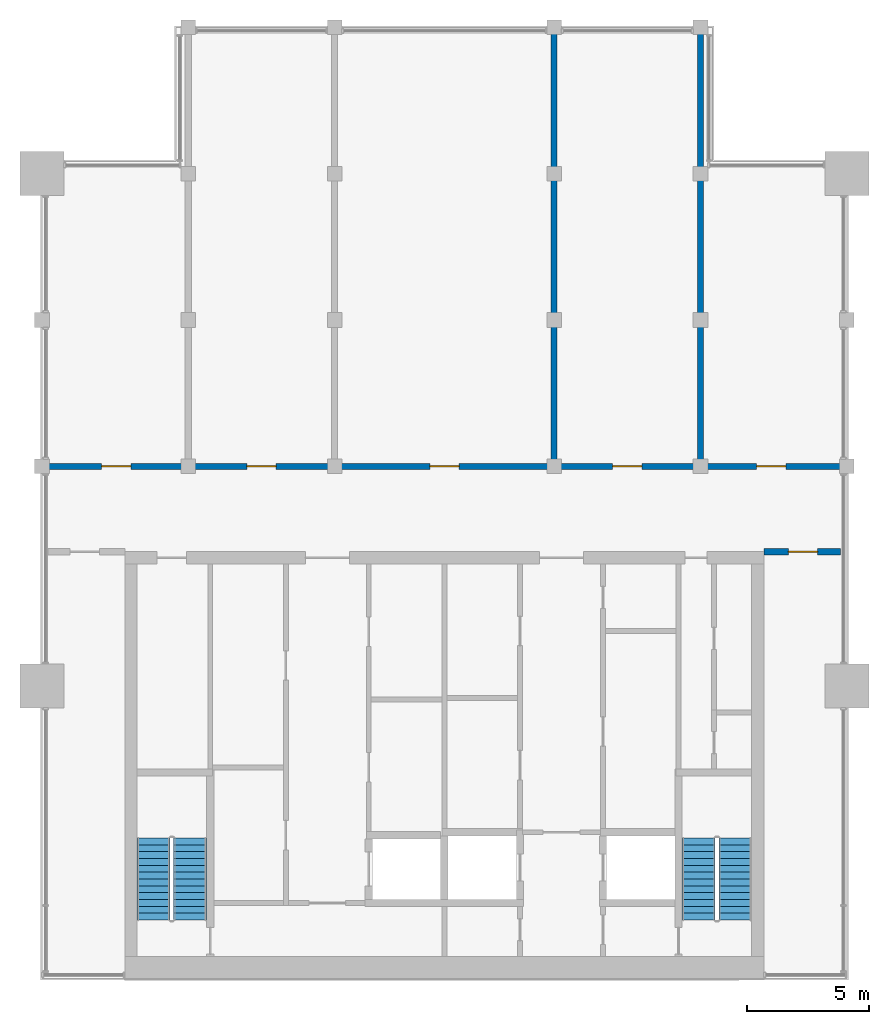
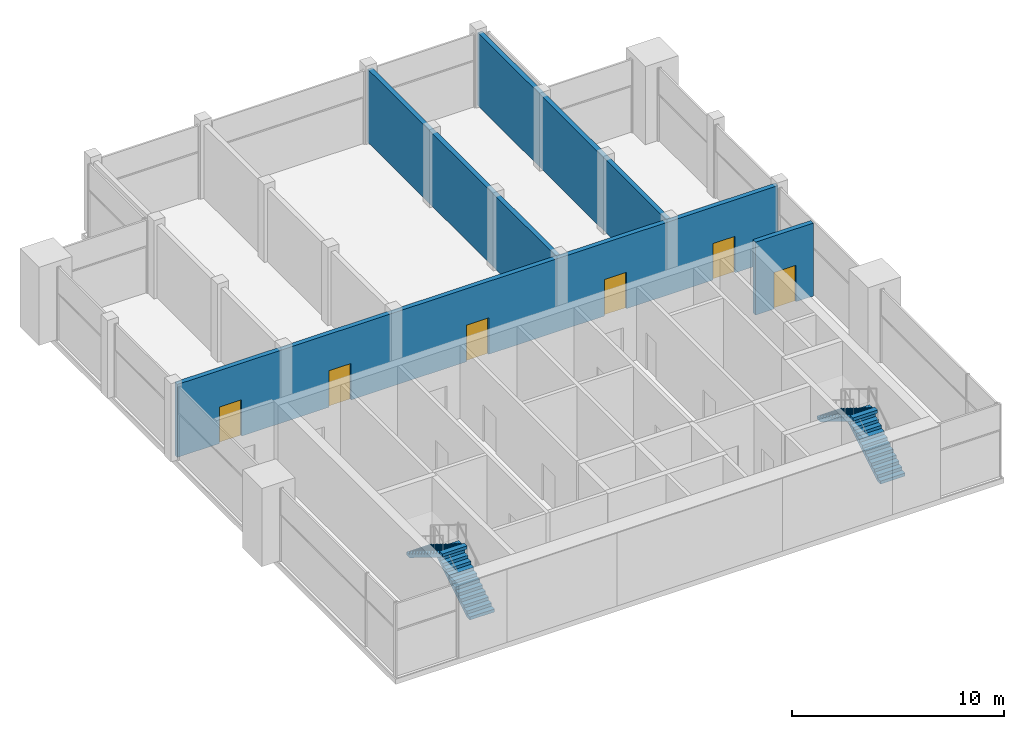
# One storey, part 8 of 9: 6 doors, 4 stair flights, 4 walls, 6 openings, 2 elements without a shape of their own.
"""IFC4 building model written with IfcOpenShell, lengths in metres."""

from ifc_helpers import new_model, si_unit, direction, frame, frame_2d, origin, place, context, subcontext, project, spatial, polyline, rectangle, outline, extrude, material, layer, layer_set, type_object, element, fill, aggregate, save


model = new_model("IFC4")

# Units and contexts
model_context = context("Model", 3, precision=1e-05, world=origin(), true_north=direction((0.0, 1.0)))
body_context = subcontext(model_context, "Body", "Model", "MODEL_VIEW")
ifc_project = project(units=[si_unit("LENGTHUNIT", "METRE"), si_unit("AREAUNIT", "SQUARE_METRE"), si_unit("VOLUMEUNIT", "CUBIC_METRE"), si_unit("PLANEANGLEUNIT", "RADIAN"), si_unit("MASSUNIT", "GRAM", prefix="KILO")], contexts=[model_context])

# Site, building, storey
site_placement = place(None, origin())
site = spatial("IfcSite", under=ifc_project, at=site_placement, CompositionType="ELEMENT")
building_placement = place(site_placement, origin())
building = spatial("IfcBuilding", under=site, at=building_placement, Name="Finial Court Residences", CompositionType="ELEMENT")
storey_placement = place(building_placement, frame((0.0, 0.0, 303.199951171875)))
storey = spatial("IfcBuildingStorey", under=building, at=storey_placement, Name="L77", CompositionType="ELEMENT", Elevation=303.199951171875)

# Wall, opening, door
ifc_material_1 = material(Name="Fire-rated board")
ifc_layer_1 = layer(ifc_material_1, 0.050048828125)
ifc_material_2 = material(Name="Mineral wool in double frame")
ifc_layer_2 = layer(ifc_material_2, 0.14990234375)
ifc_layer_3 = layer(ifc_material_1, 0.050048828125)
ifc_layer_set = layer_set([ifc_layer_1, ifc_layer_2, ifc_layer_3], Name="Plant room wall 250, 2 hour")
wall_type = type_object("IfcWallType", Name="Plant room wall 250, 2 hour", PredefinedType="PARTITIONING", material=ifc_layer_set)
wall_1_placement = place(storey_placement, frame((13.10009765625, -8.0, 0.0), z_axis=(0.0, 0.0, 1.0), x_axis=(1.0, 0.0, 0.0)))
wall_1 = element("IfcWall", 1, at=wall_1_placement, inside=storey, type_object=wall_type, Name="Partition L77-001", PredefinedType="PARTITIONING", context=body_context, shape_type="SweptSolid", body=[
    extrude(rectangle(XDim=3.14990234375, YDim=0.25, at=frame_2d((1.574951171875, 0.0))), origin(), (0.0, 0.0, 1.0), 4.199951171875),
])
opening_1_placement = place(wall_1_placement, frame((1.0, 0.0, 0.0)))
opening_1 = element("IfcOpeningElement", 2, at=opening_1_placement, cuts=wall_1, Name="Opening L77-D002", PredefinedType="OPENING", context=body_context, shape_type="SweptSolid", body=[
    extrude(rectangle(XDim=1.199951171875, YDim=2.10009765625, at=frame_2d((0.60009765625, 1.050048828125))), frame((0.0, 0.135009765625, 0.0), z_axis=(0.0, -1.0, 0.0), x_axis=(1.0, 0.0, 0.0)), (0.0, 0.0, 1.0), 0.27001953125),
])
ifc_material_3 = material(Name="Timber door leaf in hollow metal frame", Category="wood")
door_type = type_object("IfcDoorType", Name="Fire door set 1200 x 2100, 60 minutes", OperationType="SINGLE_SWING_LEFT", PredefinedType="DOOR", material=ifc_material_3)
door_1_placement = place(opening_1_placement, origin())
door_1 = element("IfcDoor", 3, at=door_1_placement, inside=storey, type_object=door_type, Name="Door L77-D002", OperationType="SINGLE_SWING_RIGHT", OverallHeight=2.10009765625, OverallWidth=1.199951171875, PredefinedType="DOOR", context=body_context, shape_type="SweptSolid", body=[
    extrude(rectangle(XDim=1.199951171875, YDim=2.10009765625, at=frame_2d((0.60009765625, 1.050048828125))), frame((0.0, 0.02490234375, 0.0), z_axis=(0.0, -1.0, 0.0), x_axis=(1.0, 0.0, 0.0)), (0.0, 0.0, 1.0), 0.050048828125),
])
fill(opening_1, door_1)

# Wall, openings, doors
wall_2_placement = place(storey_placement, frame((-16.35009765625, -4.5, 0.0), z_axis=(0.0, 0.0, 1.0), x_axis=(1.0, 0.0, 0.0)))
wall_2 = element("IfcWall", 4, at=wall_2_placement, inside=storey, type_object=wall_type, Name="Partition L77-002", PredefinedType="PARTITIONING", context=body_context, shape_type="SweptSolid", body=[
    extrude(rectangle(XDim=32.7001953125, YDim=0.25, at=frame_2d((16.35009765625, 0.0))), origin(), (0.0, 0.0, 1.0), 4.199951171875),
])
opening_2_placement = place(wall_2_placement, frame((2.300048828125, 0.0, 0.0)))
opening_2 = element("IfcOpeningElement", 5, at=opening_2_placement, cuts=wall_2, Name="Opening L77-D003", PredefinedType="OPENING", context=body_context, shape_type="SweptSolid", body=[
    extrude(rectangle(XDim=1.199951171875, YDim=2.10009765625, at=frame_2d((0.60009765625, 1.050048828125))), frame((0.0, 0.135009765625, 0.0), z_axis=(0.0, -1.0, 0.0), x_axis=(1.0, 0.0, 0.0)), (0.0, 0.0, 1.0), 0.27001953125),
])
opening_3_placement = place(wall_2_placement, frame((8.25, 0.0, 0.0)))
opening_3 = element("IfcOpeningElement", 6, at=opening_3_placement, cuts=wall_2, Name="Opening L77-D004", PredefinedType="OPENING", context=body_context, shape_type="SweptSolid", body=[
    extrude(rectangle(XDim=1.199951171875, YDim=2.10009765625, at=frame_2d((0.60009765625, 1.050048828125))), frame((0.0, 0.135009765625, 0.0), z_axis=(0.0, -1.0, 0.0), x_axis=(1.0, 0.0, 0.0)), (0.0, 0.0, 1.0), 0.27001953125),
])
opening_4_placement = place(wall_2_placement, frame((15.75, 0.0, 0.0)))
opening_4 = element("IfcOpeningElement", 7, at=opening_4_placement, cuts=wall_2, Name="Opening L77-D005", PredefinedType="OPENING", context=body_context, shape_type="SweptSolid", body=[
    extrude(rectangle(XDim=1.199951171875, YDim=2.10009765625, at=frame_2d((0.60009765625, 1.050048828125))), frame((0.0, 0.135009765625, 0.0), z_axis=(0.0, -1.0, 0.0), x_axis=(1.0, 0.0, 0.0)), (0.0, 0.0, 1.0), 0.27001953125),
])
opening_5_placement = place(wall_2_placement, frame((23.25, 0.0, 0.0)))
opening_5 = element("IfcOpeningElement", 8, at=opening_5_placement, cuts=wall_2, Name="Opening L77-D006", PredefinedType="OPENING", context=body_context, shape_type="SweptSolid", body=[
    extrude(rectangle(XDim=1.199951171875, YDim=2.10009765625, at=frame_2d((0.60009765625, 1.050048828125))), frame((0.0, 0.135009765625, 0.0), z_axis=(0.0, -1.0, 0.0), x_axis=(1.0, 0.0, 0.0)), (0.0, 0.0, 1.0), 0.27001953125),
])
opening_6_placement = place(wall_2_placement, frame((29.14990234375, 0.0, 0.0)))
opening_6 = element("IfcOpeningElement", 9, at=opening_6_placement, cuts=wall_2, Name="Opening L77-D007", PredefinedType="OPENING", context=body_context, shape_type="SweptSolid", body=[
    extrude(rectangle(XDim=1.199951171875, YDim=2.10009765625, at=frame_2d((0.60009765625, 1.050048828125))), frame((0.0, 0.135009765625, 0.0), z_axis=(0.0, -1.0, 0.0), x_axis=(1.0, 0.0, 0.0)), (0.0, 0.0, 1.0), 0.27001953125),
])
door_2_placement = place(opening_2_placement, origin())
door_2 = element("IfcDoor", 10, at=door_2_placement, inside=storey, type_object=door_type, Name="Door L77-D003", OperationType="SINGLE_SWING_RIGHT", OverallHeight=2.10009765625, OverallWidth=1.199951171875, PredefinedType="DOOR", context=body_context, shape_type="SweptSolid", body=[
    extrude(rectangle(XDim=1.199951171875, YDim=2.10009765625, at=frame_2d((0.60009765625, 1.050048828125))), frame((0.0, 0.02490234375, 0.0), z_axis=(0.0, -1.0, 0.0), x_axis=(1.0, 0.0, 0.0)), (0.0, 0.0, 1.0), 0.050048828125),
])
fill(opening_2, door_2)
door_3_placement = place(opening_3_placement, origin())
door_3 = element("IfcDoor", 11, at=door_3_placement, inside=storey, type_object=door_type, Name="Door L77-D004", OperationType="SINGLE_SWING_RIGHT", OverallHeight=2.10009765625, OverallWidth=1.199951171875, PredefinedType="DOOR", context=body_context, shape_type="SweptSolid", body=[
    extrude(rectangle(XDim=1.199951171875, YDim=2.10009765625, at=frame_2d((0.60009765625, 1.050048828125))), frame((0.0, 0.02490234375, 0.0), z_axis=(0.0, -1.0, 0.0), x_axis=(1.0, 0.0, 0.0)), (0.0, 0.0, 1.0), 0.050048828125),
])
fill(opening_3, door_3)
door_4_placement = place(opening_4_placement, origin())
door_4 = element("IfcDoor", 12, at=door_4_placement, inside=storey, type_object=door_type, Name="Door L77-D005", OperationType="SINGLE_SWING_RIGHT", OverallHeight=2.10009765625, OverallWidth=1.199951171875, PredefinedType="DOOR", context=body_context, shape_type="SweptSolid", body=[
    extrude(rectangle(XDim=1.199951171875, YDim=2.10009765625, at=frame_2d((0.60009765625, 1.050048828125))), frame((0.0, 0.02490234375, 0.0), z_axis=(0.0, -1.0, 0.0), x_axis=(1.0, 0.0, 0.0)), (0.0, 0.0, 1.0), 0.050048828125),
])
fill(opening_4, door_4)
door_5_placement = place(opening_5_placement, origin())
door_5 = element("IfcDoor", 13, at=door_5_placement, inside=storey, type_object=door_type, Name="Door L77-D006", OperationType="SINGLE_SWING_LEFT", OverallHeight=2.10009765625, OverallWidth=1.199951171875, PredefinedType="DOOR", context=body_context, shape_type="SweptSolid", body=[
    extrude(rectangle(XDim=1.199951171875, YDim=2.10009765625, at=frame_2d((0.60009765625, 1.050048828125))), frame((0.0, 0.02490234375, 0.0), z_axis=(0.0, -1.0, 0.0), x_axis=(1.0, 0.0, 0.0)), (0.0, 0.0, 1.0), 0.050048828125),
])
fill(opening_5, door_5)
door_6_placement = place(opening_6_placement, origin())
door_6 = element("IfcDoor", 14, at=door_6_placement, inside=storey, type_object=door_type, Name="Door L77-D007", OperationType="SINGLE_SWING_LEFT", OverallHeight=2.10009765625, OverallWidth=1.199951171875, PredefinedType="DOOR", context=body_context, shape_type="SweptSolid", body=[
    extrude(rectangle(XDim=1.199951171875, YDim=2.10009765625, at=frame_2d((0.60009765625, 1.050048828125))), frame((0.0, 0.02490234375, 0.0), z_axis=(0.0, -1.0, 0.0), x_axis=(1.0, 0.0, 0.0)), (0.0, 0.0, 1.0), 0.050048828125),
])
fill(opening_6, door_6)

# Walls
for number, where, z_axis, x_axis, name in (
    (15, (4.5, -4.375, 0.0), (0.0, 0.0, 1.0), (0.0, 1.0, 0.0), "Partition L77-005"),
    (16, (10.5, -4.375, 0.0), (0.0, 0.0, 1.0), (0.0, 1.0, 0.0), "Partition L77-006"),
):
    element("IfcWall", number, at=place(storey_placement, frame(where, z_axis=z_axis, x_axis=x_axis)), inside=storey, type_object=wall_type, Name=name, PredefinedType="PARTITIONING", context=body_context, shape_type="SweptSolid", body=[
        extrude(rectangle(XDim=17.72509765625, YDim=0.25, at=frame_2d((8.862548828125, 0.0))), origin(), (0.0, 0.0, 1.0), 4.199951171875),
    ])

# Stair, stair flights
ifc_material_4 = material(Name="Concrete C50/60", Category="concrete")
stair_type = type_object("IfcStairType", Name="Exit stair 26 risers of 173.1 mm", PredefinedType="HALF_TURN_STAIR", material=ifc_material_4)
stair_1_placement = place(storey_placement, origin())
stair_1 = element("IfcStair", 17, at=stair_1_placement, inside=storey, type_object=stair_type, Name="L77 Exit stair ST-1", PredefinedType="HALF_TURN_STAIR")
stair_flight_type = type_object("IfcStairFlightType", Name="Exit stair flight", PredefinedType="STRAIGHT", material=ifc_material_4)
stair_flight_1_placement = place(storey_placement, frame((-10.425048828125, -23.10009765625, 0.0), z_axis=(0.0, 0.0, 1.0), x_axis=(0.0, 1.0, 0.0)))
stair_flight_1 = element("IfcStairFlight", 18, at=stair_flight_1_placement, type_object=stair_flight_type, Name="ST-1 flight 1", NumberOfRisers=13, NumberOfTreads=12, PredefinedType="STRAIGHT", RiserHeight=0.173076923, TreadLength=0.28, context=body_context, shape_type="SweptSolid", body=[
    extrude(outline(polyline([(0.0, 0.0), (0.0, 0.173095703125), (0.280029296875, 0.173095703125), (0.280029296875, 0.34619140625), (0.56005859375, 0.34619140625), (0.56005859375, 0.519287109375), (0.840087890625, 0.519287109375), (0.840087890625, 0.6923828125), (1.1201171875, 0.6923828125), (1.1201171875, 0.865478515625), (1.39990234375, 0.865478515625), (1.39990234375, 1.03857421875), (1.679931640625, 1.03857421875), (1.679931640625, 1.21142578125), (1.9599609375, 1.21142578125), (1.9599609375, 1.384521484375), (2.239990234375, 1.384521484375), (2.239990234375, 1.5576171875), (2.52001953125, 1.5576171875), (2.52001953125, 1.730712890625), (2.800048828125, 1.730712890625), (2.800048828125, 1.90380859375), (3.080078125, 1.90380859375), (3.080078125, 2.076904296875), (3.360107421875, 2.076904296875), (3.360107421875, 2.25), (3.360107421875, 1.900634765625), (0.28515625, 0.0), (0.0, 0.0)])), frame((0.0, 0.675048828125, 0.0), z_axis=(0.0, -1.0, 0.0), x_axis=(1.0, 0.0, 0.0)), (0.0, 0.0, 1.0), 1.35009765625),
])
stair_flight_2_placement = place(storey_placement, frame((-11.925048828125, -19.739990234375, 2.25), z_axis=(0.0, 0.0, 1.0), x_axis=(0.0, -1.0, 0.0)))
stair_flight_2 = element("IfcStairFlight", 19, at=stair_flight_2_placement, type_object=stair_flight_type, Name="ST-1 flight 2", NumberOfRisers=13, NumberOfTreads=12, PredefinedType="STRAIGHT", RiserHeight=0.173076923, TreadLength=0.28, context=body_context, shape_type="SweptSolid", body=[
    extrude(outline(polyline([(0.0, 0.0), (0.0, 0.173095703125), (0.280029296875, 0.173095703125), (0.280029296875, 0.34619140625), (0.56005859375, 0.34619140625), (0.56005859375, 0.519287109375), (0.840087890625, 0.519287109375), (0.840087890625, 0.6923828125), (1.1201171875, 0.6923828125), (1.1201171875, 0.865478515625), (1.39990234375, 0.865478515625), (1.39990234375, 1.03857421875), (1.679931640625, 1.03857421875), (1.679931640625, 1.21142578125), (1.9599609375, 1.21142578125), (1.9599609375, 1.384521484375), (2.239990234375, 1.384521484375), (2.239990234375, 1.5576171875), (2.52001953125, 1.5576171875), (2.52001953125, 1.730712890625), (2.800048828125, 1.730712890625), (2.800048828125, 1.90380859375), (3.080078125, 1.90380859375), (3.080078125, 2.076904296875), (3.360107421875, 2.076904296875), (3.360107421875, 2.25), (3.360107421875, 1.900634765625), (0.28515625, 0.0), (0.0, 0.0)])), frame((0.0, 0.675048828125, 0.0), z_axis=(0.0, -1.0, 0.0), x_axis=(1.0, 0.0, 0.0)), (0.0, 0.0, 1.0), 1.35009765625),
])
aggregate(stair_1, [stair_flight_1, stair_flight_2])

stair_2_placement = place(storey_placement, origin())
stair_2 = element("IfcStair", 20, at=stair_2_placement, inside=storey, type_object=stair_type, Name="L77 Exit stair ST-2", PredefinedType="HALF_TURN_STAIR")
stair_flight_3_placement = place(storey_placement, frame((11.925048828125, -23.10009765625, 0.0), z_axis=(0.0, 0.0, 1.0), x_axis=(0.0, 1.0, 0.0)))
stair_flight_3 = element("IfcStairFlight", 21, at=stair_flight_3_placement, type_object=stair_flight_type, Name="ST-2 flight 1", NumberOfRisers=13, NumberOfTreads=12, PredefinedType="STRAIGHT", RiserHeight=0.173076923, TreadLength=0.28, context=body_context, shape_type="SweptSolid", body=[
    extrude(outline(polyline([(0.0, 0.0), (0.0, 0.173095703125), (0.280029296875, 0.173095703125), (0.280029296875, 0.34619140625), (0.56005859375, 0.34619140625), (0.56005859375, 0.519287109375), (0.840087890625, 0.519287109375), (0.840087890625, 0.6923828125), (1.1201171875, 0.6923828125), (1.1201171875, 0.865478515625), (1.39990234375, 0.865478515625), (1.39990234375, 1.03857421875), (1.679931640625, 1.03857421875), (1.679931640625, 1.21142578125), (1.9599609375, 1.21142578125), (1.9599609375, 1.384521484375), (2.239990234375, 1.384521484375), (2.239990234375, 1.5576171875), (2.52001953125, 1.5576171875), (2.52001953125, 1.730712890625), (2.800048828125, 1.730712890625), (2.800048828125, 1.90380859375), (3.080078125, 1.90380859375), (3.080078125, 2.076904296875), (3.360107421875, 2.076904296875), (3.360107421875, 2.25), (3.360107421875, 1.900634765625), (0.28515625, 0.0), (0.0, 0.0)])), frame((0.0, 0.675048828125, 0.0), z_axis=(0.0, -1.0, 0.0), x_axis=(1.0, 0.0, 0.0)), (0.0, 0.0, 1.0), 1.35009765625),
])
stair_flight_4_placement = place(storey_placement, frame((10.425048828125, -19.739990234375, 2.25), z_axis=(0.0, 0.0, 1.0), x_axis=(0.0, -1.0, 0.0)))
stair_flight_4 = element("IfcStairFlight", 22, at=stair_flight_4_placement, type_object=stair_flight_type, Name="ST-2 flight 2", NumberOfRisers=13, NumberOfTreads=12, PredefinedType="STRAIGHT", RiserHeight=0.173076923, TreadLength=0.28, context=body_context, shape_type="SweptSolid", body=[
    extrude(outline(polyline([(0.0, 0.0), (0.0, 0.173095703125), (0.280029296875, 0.173095703125), (0.280029296875, 0.34619140625), (0.56005859375, 0.34619140625), (0.56005859375, 0.519287109375), (0.840087890625, 0.519287109375), (0.840087890625, 0.6923828125), (1.1201171875, 0.6923828125), (1.1201171875, 0.865478515625), (1.39990234375, 0.865478515625), (1.39990234375, 1.03857421875), (1.679931640625, 1.03857421875), (1.679931640625, 1.21142578125), (1.9599609375, 1.21142578125), (1.9599609375, 1.384521484375), (2.239990234375, 1.384521484375), (2.239990234375, 1.5576171875), (2.52001953125, 1.5576171875), (2.52001953125, 1.730712890625), (2.800048828125, 1.730712890625), (2.800048828125, 1.90380859375), (3.080078125, 1.90380859375), (3.080078125, 2.076904296875), (3.360107421875, 2.076904296875), (3.360107421875, 2.25), (3.360107421875, 1.900634765625), (0.28515625, 0.0), (0.0, 0.0)])), frame((0.0, 0.675048828125, 0.0), z_axis=(0.0, -1.0, 0.0), x_axis=(1.0, 0.0, 0.0)), (0.0, 0.0, 1.0), 1.35009765625),
])
aggregate(stair_2, [stair_flight_3, stair_flight_4])

save(model, "model.ifc")
